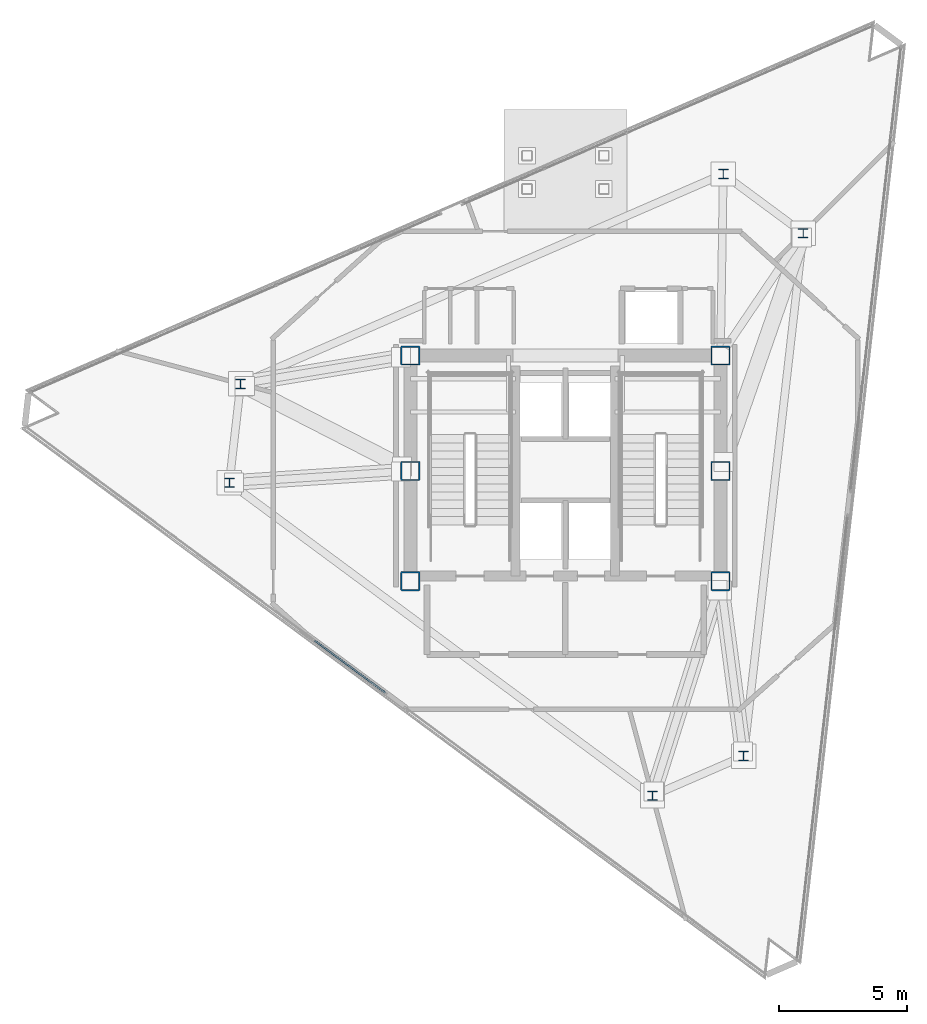
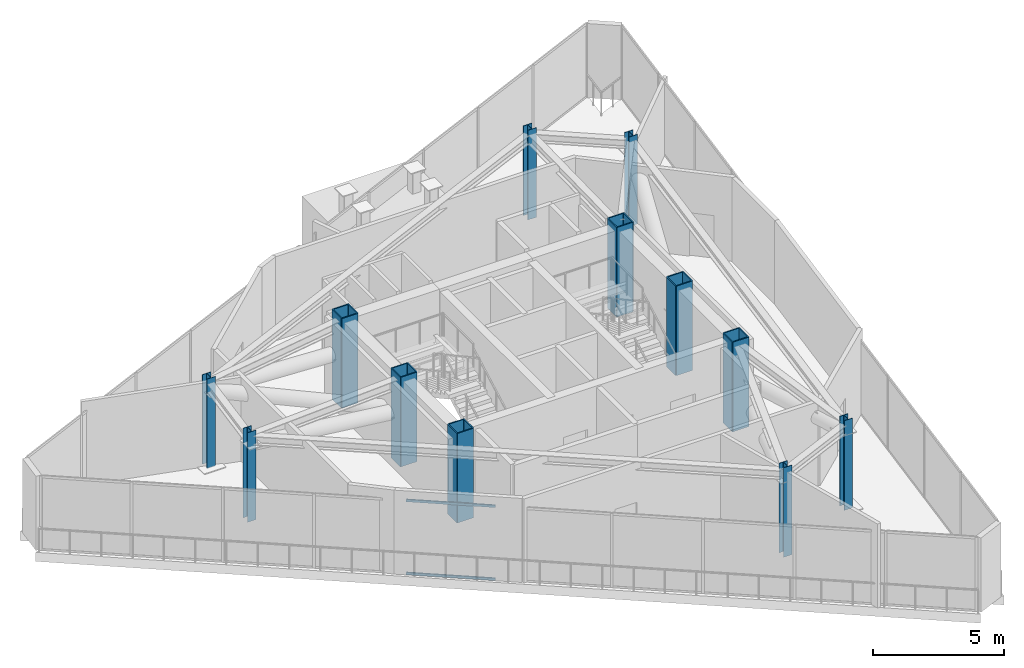
# One storey, part 1 of 11: 12 columns, 2 members, 1 element without a shape of its own.
"""IFC4 building model written with IfcOpenShell, lengths in metres."""

from ifc_helpers import new_model, si_unit, direction, frame, origin, origin_2d, place, context, subcontext, project, spatial, rectangle, hollow_rectangle, i_section, extrude, material, layer, layer_set, material_profile, profile_set, type_object, element, aggregate, save


model = new_model("IFC4")

# Units and contexts
model_context = context("Model", 3, precision=1e-05, world=origin(), true_north=direction((0.0, 1.0)))
body_context = subcontext(model_context, "Body", "Model", "MODEL_VIEW")
ifc_project = project(units=[si_unit("LENGTHUNIT", "METRE"), si_unit("AREAUNIT", "SQUARE_METRE"), si_unit("VOLUMEUNIT", "CUBIC_METRE"), si_unit("PLANEANGLEUNIT", "RADIAN"), si_unit("MASSUNIT", "GRAM", prefix="KILO")], contexts=[model_context])

# Site, building, storey
site_placement = place(None, origin())
site = spatial("IfcSite", under=ifc_project, at=site_placement, CompositionType="ELEMENT")
building_placement = place(site_placement, origin())
building = spatial("IfcBuilding", under=site, at=building_placement, Name="Rocaltana Carrier Exchange", CompositionType="ELEMENT")
storey_placement = place(building_placement, frame((0.0, 0.0, 239.199951171875)))
storey = spatial("IfcBuildingStorey", under=building, at=storey_placement, Name="L76", CompositionType="ELEMENT", Elevation=239.199951171875)

# Columns
ifc_material_1 = material(Name="Steel S460", Category="steel")
ifc_material_profile_1 = material_profile(ifc_material_1, hollow_rectangle(XDim=0.75, YDim=0.75, WallThickness=0.050048828125, InnerFilletRadius=0.02001953125, OuterFilletRadius=0.0400390625, at=origin_2d()), Name="BOX750X750X50")
ifc_profile_set_1 = profile_set([ifc_material_profile_1], Name="Steel S460")
column_type_1 = type_object("IfcColumnType", Name="Core Mega-Column BOX750", PredefinedType="COLUMN", material=ifc_profile_set_1)
for number, where, z_axis, x_axis, name in (
    (1, (-6.050048828125, 4.5, 0.0), (0.0, 0.0, 1.0), (1.0, 0.0, 0.0), "L76 Core Mega-Column MC1"),
    (2, (6.050048828125, 4.5, 0.0), (0.0, 0.0, 1.0), (1.0, 0.0, 0.0), "L76 Core Mega-Column MC2"),
    (3, (-6.050048828125, 0.0, 0.0), (0.0, 0.0, 1.0), (1.0, 0.0, 0.0), "L76 Core Mega-Column MC3"),
    (4, (6.050048828125, 0.0, 0.0), (0.0, 0.0, 1.0), (1.0, 0.0, 0.0), "L76 Core Mega-Column MC4"),
    (5, (-6.050048828125, -4.300048828125, 0.0), (0.0, 0.0, 1.0), (1.0, 0.0, 0.0), "L76 Core Mega-Column MC5"),
    (6, (6.050048828125, -4.300048828125, 0.0), (0.0, 0.0, 1.0), (1.0, 0.0, 0.0), "L76 Core Mega-Column MC6"),
):
    element("IfcColumn", number, at=place(storey_placement, frame(where, z_axis=z_axis, x_axis=x_axis)), inside=storey, type_object=column_type_1, Name=name, PredefinedType="COLUMN", context=body_context, shape_type="SweptSolid", body=[
        extrude(hollow_rectangle(XDim=0.75, YDim=0.75, WallThickness=0.050048828125, InnerFilletRadius=0.02001953125, OuterFilletRadius=0.0400390625, at=origin_2d()), origin(), (0.0, 0.0, 1.0), 4.16015625),
    ])
ifc_material_2 = material(Name="Steel S355", Category="steel")
ifc_material_profile_2 = material_profile(ifc_material_2, i_section(OverallWidth=0.37109375, OverallDepth=0.364013671875, WebThickness=0.01318359375, FlangeThickness=0.021728515625, FilletRadius=0.014892578125, at=origin_2d()), Name="W14X109")
ifc_profile_set_2 = profile_set([ifc_material_profile_2], Name="Steel S355")
column_type_2 = type_object("IfcColumnType", Name="Crown Column W14X109", PredefinedType="COLUMN", material=ifc_profile_set_2)
for number, where, z_axis, x_axis, name in (
    (7, (6.953125, -11.126708984375, 0.0), (0.0, 0.0, 1.0), (1.0, 0.0, 0.0), "L76 Crown Column CC01"),
    (8, (9.27783203125, 9.27734375, 0.0), (0.0, 0.0, 1.0), (1.0, 0.0, 0.0), "L76 Crown Column CC02"),
    (9, (6.159423828125, 11.5849609375, 0.0), (0.0, 0.0, 1.0), (1.0, 0.0, 0.0), "L76 Crown Column CC03"),
    (10, (-12.67333984375, 3.396240234375, 0.0), (0.0, 0.0, 1.0), (1.0, 0.0, 0.0), "L76 Crown Column CC04"),
    (11, (-13.112548828125, -0.458251953125, 0.0), (0.0, 0.0, 1.0), (1.0, 0.0, 0.0), "L76 Crown Column CC05"),
    (12, (3.3955078125, -12.673583984375, 0.0), (0.0, 0.0, 1.0), (1.0, 0.0, 0.0), "L76 Crown Column CC06"),
):
    element("IfcColumn", number, at=place(storey_placement, frame(where, z_axis=z_axis, x_axis=x_axis)), inside=storey, type_object=column_type_2, Name=name, PredefinedType="COLUMN", context=body_context, shape_type="SweptSolid", body=[
        extrude(i_section(OverallWidth=0.37109375, OverallDepth=0.364013671875, WebThickness=0.01318359375, FlangeThickness=0.021728515625, FilletRadius=0.014892578125, at=origin_2d()), origin(), (0.0, 0.0, 1.0), 4.16015625),
    ])

# Curtain wall, members
ifc_material_3 = material(Name="Aluminium 6063-T6", Category="aluminium")
ifc_layer = layer(ifc_material_3, 0.110107421875)
ifc_layer_set = layer_set([ifc_layer], Name="Aluminium 6063-T6")
curtain_wall_type = type_object("IfcCurtainWallType", Name="Crown Lantern Faceted Curtain Wall CW-06", PredefinedType="NOTDEFINED", material=ifc_layer_set)
curtain_wall_placement = place(storey_placement, origin())
curtain_wall = element("IfcCurtainWall", 13, at=curtain_wall_placement, inside=storey, type_object=curtain_wall_type, Name="L76 CW-06 Run CW06-L76-F3S1", PredefinedType="NOTDEFINED")
ifc_material_4 = material(Name="Aluminium 6063-T6", Category="aluminium")
ifc_material_profile_3 = material_profile(ifc_material_4, rectangle(XDim=0.054931640625, YDim=0.110107421875, at=origin_2d()), Name="AL-55X110")
ifc_profile_set_3 = profile_set([ifc_material_profile_3], Name="Aluminium 6063-T6")
member_type = type_object("IfcMemberType", Name="CW-06 Transom AL-55X110", PredefinedType="USERDEFINED", material=ifc_profile_set_3)
member_1_placement = place(storey_placement, frame((-9.777099609375, -6.61865234375, 0.027587890625), z_axis=(0.803858295883, -0.594820847096, 0.0), x_axis=(0.594820847096, 0.803858295883, 0.0)))
member_1 = element("IfcMember", 14, at=member_1_placement, type_object=member_type, Name="CW-06 transom 5.1", ObjectType="TRANSOM", PredefinedType="USERDEFINED", context=body_context, shape_type="SweptSolid", body=[
    extrude(rectangle(XDim=0.054931640625, YDim=0.110107421875, at=origin_2d()), origin(), (0.0, 0.0, 1.0), 3.417236328125),
])
member_2_placement = place(storey_placement, frame((-9.777099609375, -6.61865234375, 3.420654296875), z_axis=(0.803858295883, -0.594820847096, 0.0), x_axis=(0.594820847096, 0.803858295883, 0.0)))
member_2 = element("IfcMember", 15, at=member_2_placement, type_object=member_type, Name="CW-06 transom 5.2", ObjectType="TRANSOM", PredefinedType="USERDEFINED", context=body_context, shape_type="SweptSolid", body=[
    extrude(rectangle(XDim=0.054931640625, YDim=0.110107421875, at=origin_2d()), origin(), (0.0, 0.0, 1.0), 3.417236328125),
])
aggregate(curtain_wall, [member_1, member_2])

save(model, "model.ifc")
